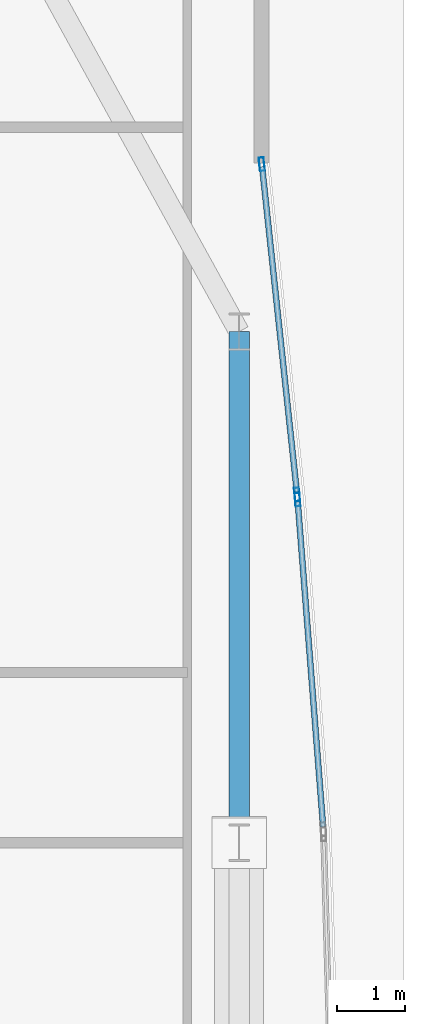
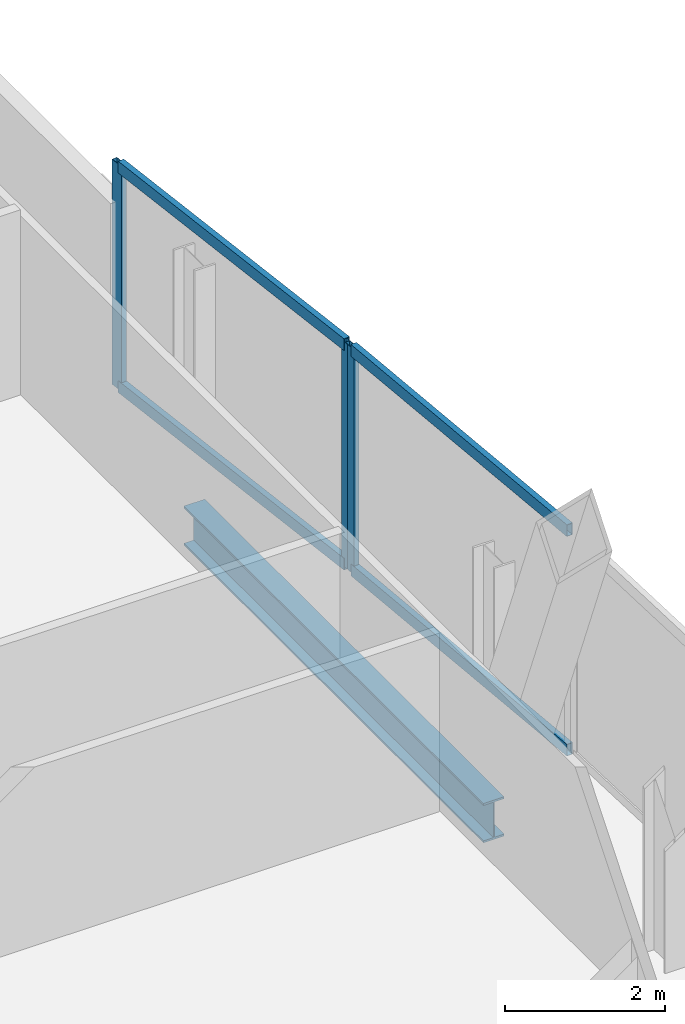
# One storey, part 22 of 30: 7 members, 1 beam, 2 elements without a shape of their own.
"""IFC4 building model written with IfcOpenShell, lengths in metres."""

from ifc_helpers import new_model, si_unit, direction, frame, origin, origin_2d, place, context, subcontext, project, spatial, hollow_rectangle, i_section, extrude, material, material_profile, profile_set, type_object, element, aggregate, save


model = new_model("IFC4")

# Units and contexts
model_context = context("Model", 3, precision=1e-05, world=origin(), true_north=direction((0.0, 1.0)))
body_context = subcontext(model_context, "Body", "Model", "MODEL_VIEW")
ifc_project = project(units=[si_unit("LENGTHUNIT", "METRE"), si_unit("AREAUNIT", "SQUARE_METRE"), si_unit("VOLUMEUNIT", "CUBIC_METRE"), si_unit("PLANEANGLEUNIT", "RADIAN"), si_unit("MASSUNIT", "GRAM", prefix="KILO")], contexts=[model_context])

# Site, building, storey
site_placement = place(None, origin())
site = spatial("IfcSite", under=ifc_project, at=site_placement, CompositionType="ELEMENT")
building_placement = place(site_placement, origin())
building = spatial("IfcBuilding", under=site, at=building_placement, Name="Khoronbel Lancet Exchange", CompositionType="ELEMENT")
storey_placement = place(building_placement, frame((0.0, 0.0, 136.199951171875)))
storey = spatial("IfcBuildingStorey", under=building, at=storey_placement, Name="L33", CompositionType="ELEMENT", Elevation=136.199951171875)

# Beam
ifc_material_1 = material(Name="Steel S355", Category="steel")
ifc_material_profile_1 = material_profile(ifc_material_1, i_section(OverallWidth=0.300048828125, OverallDepth=0.60009765625, WebThickness=0.015380859375, FlangeThickness=0.030029296875, at=origin_2d()), Name="HEB 600")
ifc_profile_set_1 = profile_set([ifc_material_profile_1], Name="Steel S355")
beam_type = type_object("IfcBeamType", Name="BM-BSP2", PredefinedType="SPANDREL", material=ifc_profile_set_1)
beam_placement = place(storey_placement, frame((67.6298828125, 35.699951171875, -0.4599609375), z_axis=(0.0, 1.0, 0.0), x_axis=(-1.0, 0.0, 0.0)))
element("IfcBeam", 1, at=beam_placement, inside=storey, type_object=beam_type, Name="Level L33 perimeter spandrel beam SP12", PredefinedType="SPANDREL", context=body_context, shape_type="SweptSolid", body=[
    extrude(i_section(OverallWidth=0.300048828125, OverallDepth=0.60009765625, WebThickness=0.015380859375, FlangeThickness=0.030029296875, at=origin_2d()), origin(), (0.0, 0.0, 1.0), 7.5),
])

# Curtain wall, members
ifc_material_2 = material(Name="Low-E Solar Control Insulating Glass", Category="glass")
curtain_wall_type = type_object("IfcCurtainWallType", Name="CW-4", PredefinedType="NOTDEFINED", material=ifc_material_2)
curtain_wall_1_placement = place(storey_placement, origin())
curtain_wall_1 = element("IfcCurtainWall", 2, at=curtain_wall_1_placement, inside=storey, type_object=curtain_wall_type, Name="Unitised curtain wall CW-L33-E17", PredefinedType="NOTDEFINED")
ifc_material_3 = material(Name="Bronze-Anodised Aluminium 6063-T6", Category="aluminium")
ifc_material_profile_2 = material_profile(ifc_material_3, hollow_rectangle(XDim=0.074951171875, YDim=0.199951171875, WallThickness=0.0048828125, at=origin_2d()), Name="ALU MULLION 75x200")
ifc_profile_set_2 = profile_set([ifc_material_profile_2], Name="Bronze-Anodised Aluminium 6063-T6")
member_type_1 = type_object("IfcMemberType", Name="MEM-CWM2", PredefinedType="MULLION", material=ifc_profile_set_2)
member_1_placement = place(storey_placement, frame((67.9638671875, 45.657958984375, 0.0), z_axis=(0.0, 0.0, 1.0), x_axis=(0.994346859972, 0.106180610586, 0.0)))
member_1 = element("IfcMember", 3, at=member_1_placement, type_object=member_type_1, Name="CW4 mullion 1", PredefinedType="MULLION", context=body_context, shape_type="SweptSolid", body=[
    extrude(hollow_rectangle(XDim=0.074951171875, YDim=0.199951171875, WallThickness=0.0048828125, at=origin_2d()), origin(), (0.0, 0.0, 1.0), 3.43994140625),
])
member_2_placement = place(storey_placement, frame((68.4814453125, 40.812255859375, 0.0), z_axis=(0.0, 0.0, 1.0), x_axis=(0.994346859972, 0.106180610586, 0.0)))
member_2 = element("IfcMember", 4, at=member_2_placement, type_object=member_type_1, Name="CW4 mullion 2", PredefinedType="MULLION", context=body_context, shape_type="SweptSolid", body=[
    extrude(hollow_rectangle(XDim=0.074951171875, YDim=0.199951171875, WallThickness=0.0048828125, at=origin_2d()), origin(), (0.0, 0.0, 1.0), 3.43994140625),
])

# Curtain wall, member
curtain_wall_2_placement = place(storey_placement, origin())
curtain_wall_2 = element("IfcCurtainWall", 5, at=curtain_wall_2_placement, inside=storey, type_object=curtain_wall_type, Name="Unitised curtain wall CW-L33-E18", PredefinedType="NOTDEFINED")
member_3_placement = place(storey_placement, frame((68.48828125, 40.737548828125, 0.0), z_axis=(0.0, 0.0, 1.0), x_axis=(0.996959555693, 0.077920756627, 0.0)))
member_3 = element("IfcMember", 6, at=member_3_placement, type_object=member_type_1, Name="CW4 mullion 1", PredefinedType="MULLION", context=body_context, shape_type="SweptSolid", body=[
    extrude(hollow_rectangle(XDim=0.074951171875, YDim=0.199951171875, WallThickness=0.0048828125, at=origin_2d()), origin(), (0.0, 0.0, 1.0), 3.43994140625),
])

# Member
ifc_material_profile_3 = material_profile(ifc_material_3, hollow_rectangle(XDim=0.0849609375, YDim=0.179931640625, WallThickness=0.0048828125, at=origin_2d()), Name="ALU TRANSOM 85x180")
ifc_profile_set_3 = profile_set([ifc_material_profile_3], Name="Bronze-Anodised Aluminium 6063-T6")
member_type_2 = type_object("IfcMemberType", Name="MEM-CWT1", PredefinedType="USERDEFINED", material=ifc_profile_set_3)
member_4_placement = place(storey_placement, frame((67.968017578125, 45.62060546875, 0.04248046875), z_axis=(0.106191761921, -0.994345669121, 0.0), x_axis=(0.994345669121, 0.106191761921, 0.0)))
member_4 = element("IfcMember", 7, at=member_4_placement, type_object=member_type_2, Name="CW4 transom 1.1", ObjectType="TRANSOM", PredefinedType="USERDEFINED", context=body_context, shape_type="SweptSolid", body=[
    extrude(hollow_rectangle(XDim=0.0849609375, YDim=0.179931640625, WallThickness=0.0048828125, at=origin_2d()), origin(), (0.0, 0.0, 1.0), 4.798095703125),
])

member_5_placement = place(storey_placement, frame((67.968017578125, 45.62060546875, 3.3974609375), z_axis=(0.106191761921, -0.994345669121, 0.0), x_axis=(0.994345669121, 0.106191761921, 0.0)))
member_5 = element("IfcMember", 8, at=member_5_placement, type_object=member_type_2, Name="CW4 transom 1.2", ObjectType="TRANSOM", PredefinedType="USERDEFINED", context=body_context, shape_type="SweptSolid", body=[
    extrude(hollow_rectangle(XDim=0.0849609375, YDim=0.179931640625, WallThickness=0.0048828125, at=origin_2d()), origin(), (0.0, 0.0, 1.0), 4.798095703125),
])

aggregate(curtain_wall_1, [member_1, member_2, member_4, member_5])

member_6_placement = place(storey_placement, frame((68.4912109375, 40.7001953125, 0.04248046875), z_axis=(0.077923377074, -0.996959350879, 0.0), x_axis=(0.996959350879, 0.077923377074, 0.0)))
member_6 = element("IfcMember", 9, at=member_6_placement, type_object=member_type_2, Name="CW4 transom 1.1", ObjectType="TRANSOM", PredefinedType="USERDEFINED", context=body_context, shape_type="SweptSolid", body=[
    extrude(hollow_rectangle(XDim=0.0849609375, YDim=0.179931640625, WallThickness=0.0048828125, at=origin_2d()), origin(), (0.0, 0.0, 1.0), 4.778076171875),
])

member_7_placement = place(storey_placement, frame((68.4912109375, 40.7001953125, 3.3974609375), z_axis=(0.077923377074, -0.996959350879, 0.0), x_axis=(0.996959350879, 0.077923377074, 0.0)))
member_7 = element("IfcMember", 10, at=member_7_placement, type_object=member_type_2, Name="CW4 transom 1.2", ObjectType="TRANSOM", PredefinedType="USERDEFINED", context=body_context, shape_type="SweptSolid", body=[
    extrude(hollow_rectangle(XDim=0.0849609375, YDim=0.179931640625, WallThickness=0.0048828125, at=origin_2d()), origin(), (0.0, 0.0, 1.0), 4.778076171875),
])

aggregate(curtain_wall_2, [member_3, member_6, member_7])

save(model, "model.ifc")
